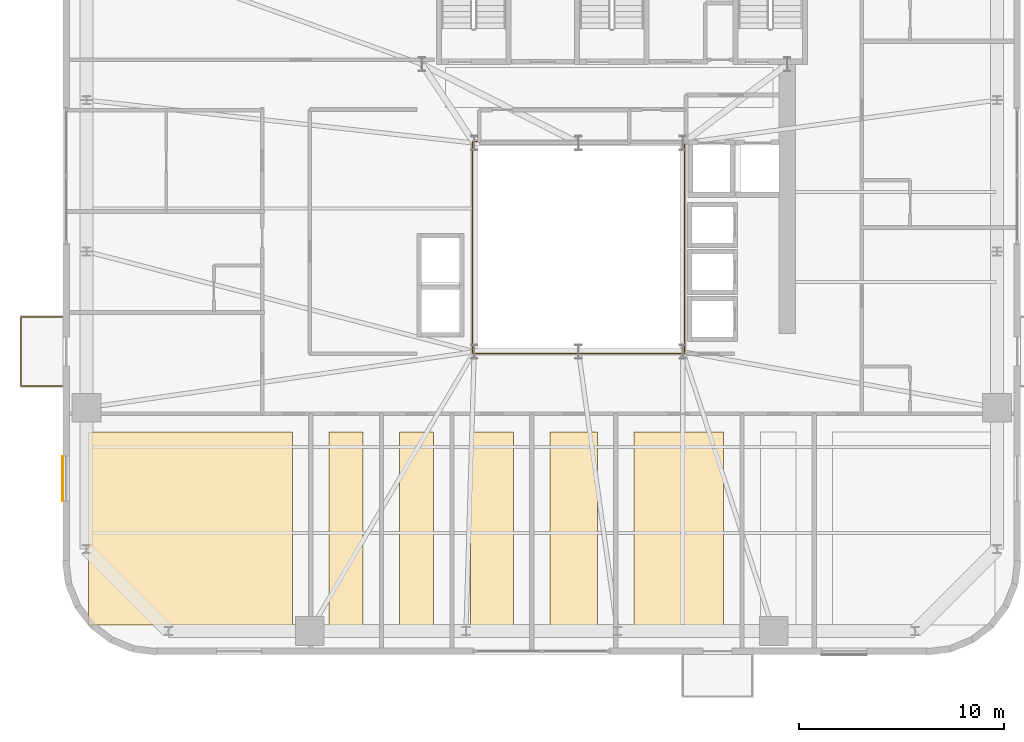
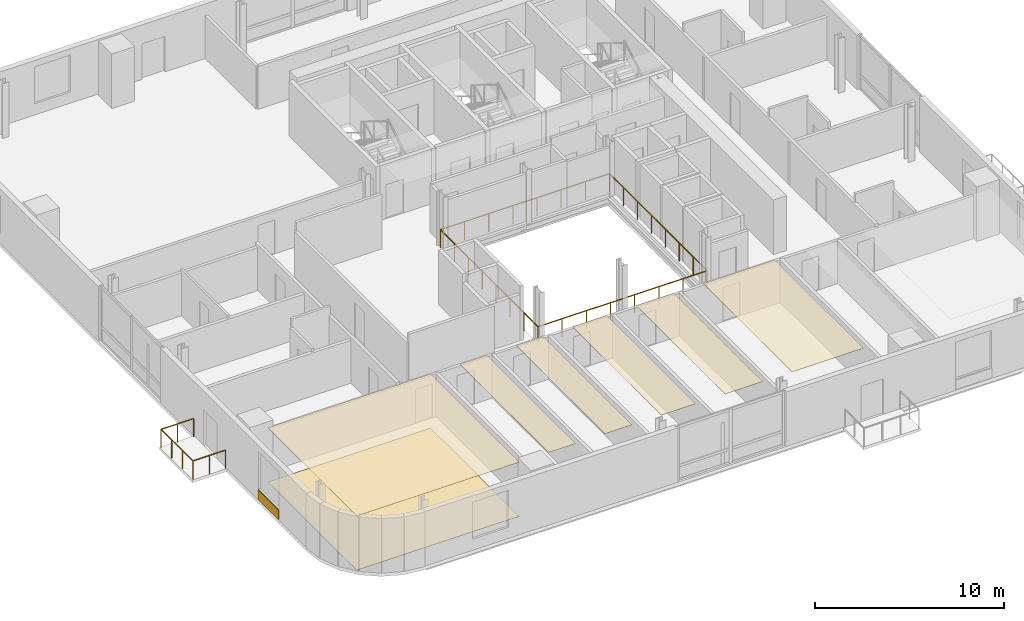
# One storey, part 12 of 16: 8 coverings, 2 railings.
"""IFC4 building model written with IfcOpenShell, lengths in metres."""

from ifc_helpers import new_model, si_unit, direction, frame, origin, origin_2d, place, context, subcontext, project, spatial, polyline, rectangle, outline, extrude, source, transform, mapped, material, layer, layer_set, type_object, element, save


model = new_model("IFC4")

# Units and contexts
model_context = context("Model", 3, precision=1e-05, world=origin(), true_north=direction((0.0, 1.0)))
body_context = subcontext(model_context, "Body", "Model", "MODEL_VIEW")
ifc_project = project(units=[si_unit("LENGTHUNIT", "METRE"), si_unit("AREAUNIT", "SQUARE_METRE"), si_unit("VOLUMEUNIT", "CUBIC_METRE"), si_unit("PLANEANGLEUNIT", "RADIAN"), si_unit("MASSUNIT", "GRAM", prefix="KILO")], contexts=[model_context])

# Site, building, storey
site_placement = place(None, origin())
site = spatial("IfcSite", under=ifc_project, at=site_placement, CompositionType="ELEMENT")
building_placement = place(site_placement, origin())
building = spatial("IfcBuilding", under=site, at=building_placement, Name="Vardaveli Station Tower", CompositionType="ELEMENT")
storey_placement = place(building_placement, frame((0.0, 0.0, 222.300048828125)))
storey = spatial("IfcBuildingStorey", under=building, at=storey_placement, Name="L57", CompositionType="ELEMENT", Elevation=222.300048828125)

# Coverings
ifc_material_1 = material(Name="Perforated acoustic mineral ceiling")
ifc_layer_1 = layer(ifc_material_1, 0.02001953125, Name="Perforated acoustic mineral ceiling")
ifc_layer_set_1 = layer_set([ifc_layer_1], Name="Perforated acoustic mineral ceiling")
covering_type_1 = type_object("IfcCoveringType", Name="COV-CEIL-AC20", PredefinedType="CEILING", material=ifc_layer_set_1)
covering_1_placement = place(storey_placement, frame((0.0, 0.0, 3.514892578125)))
element("IfcCovering", 1, at=covering_1_placement, inside=storey, type_object=covering_type_1, Name="CEIL-L57-1", PredefinedType="CEILING", context=body_context, shape_type="SweptSolid", body=[
    extrude(outline(polyline([(12.35009765625, 3.25), (22.31005859375, 3.25), (22.31005859375, 12.669921875), (12.35009765625, 12.669921875), (12.35009765625, 3.25)])), origin(), (0.0, 0.0, 1.0), 0.02001953125),
])
covering_2_placement = place(storey_placement, frame((0.0, 0.0, 3.514892578125)))
element("IfcCovering", 2, at=covering_2_placement, inside=storey, type_object=covering_type_1, Name="CEIL-L57-2", PredefinedType="CEILING", context=body_context, shape_type="SweptSolid", body=[
    extrude(outline(polyline([(24.110107421875, 3.25), (25.760009765625, 3.25), (25.760009765625, 12.669921875), (24.110107421875, 12.669921875), (24.110107421875, 3.25)])), origin(), (0.0, 0.0, 1.0), 0.02001953125),
])
covering_3_placement = place(storey_placement, frame((0.0, 0.0, 3.514892578125)))
element("IfcCovering", 3, at=covering_3_placement, inside=storey, type_object=covering_type_1, Name="CEIL-L57-3", PredefinedType="CEILING", context=body_context, shape_type="SweptSolid", body=[
    extrude(outline(polyline([(27.56005859375, 3.25), (29.2099609375, 3.25), (29.2099609375, 12.669921875), (27.56005859375, 12.669921875), (27.56005859375, 3.25)])), origin(), (0.0, 0.0, 1.0), 0.02001953125),
])
covering_4_placement = place(storey_placement, frame((0.0, 0.0, 3.514892578125)))
element("IfcCovering", 4, at=covering_4_placement, inside=storey, type_object=covering_type_1, Name="CEIL-L57-4", PredefinedType="CEILING", context=body_context, shape_type="SweptSolid", body=[
    extrude(outline(polyline([(31.010009765625, 3.25), (33.114990234375, 3.25), (33.114990234375, 12.669921875), (31.010009765625, 12.669921875), (31.010009765625, 3.25)])), origin(), (0.0, 0.0, 1.0), 0.02001953125),
])
covering_5_placement = place(storey_placement, frame((0.0, 0.0, 3.514892578125)))
element("IfcCovering", 5, at=covering_5_placement, inside=storey, type_object=covering_type_1, Name="CEIL-L57-5", PredefinedType="CEILING", context=body_context, shape_type="SweptSolid", body=[
    extrude(outline(polyline([(34.9150390625, 3.25), (37.216796875, 3.25), (37.216796875, 12.669921875), (34.9150390625, 12.669921875), (34.9150390625, 3.25)])), origin(), (0.0, 0.0, 1.0), 0.02001953125),
])
covering_6_placement = place(storey_placement, frame((0.0, 0.0, 3.514892578125)))
element("IfcCovering", 6, at=covering_6_placement, inside=storey, type_object=covering_type_1, Name="CEIL-L57-6", PredefinedType="CEILING", context=body_context, shape_type="SweptSolid", body=[
    extrude(outline(polyline([(39.0166015625, 3.25), (43.3896484375, 3.25), (43.3896484375, 12.669921875), (39.0166015625, 12.669921875), (39.0166015625, 3.25)])), origin(), (0.0, 0.0, 1.0), 0.02001953125),
])
ifc_material_2 = material(Name="Honed Caucasian basalt and travertine flooring", Category="masonry")
ifc_layer_2 = layer(ifc_material_2, 0.030029296875, Name="Honed Caucasian basalt and travertine flooring")
ifc_layer_set_2 = layer_set([ifc_layer_2], Name="Honed Caucasian basalt and travertine flooring")
covering_type_2 = type_object("IfcCoveringType", Name="COV-FLOOR-ST30", PredefinedType="FLOORING", material=ifc_layer_set_2)
covering_7_placement = place(storey_placement, origin())
element("IfcCovering", 7, at=covering_7_placement, inside=storey, type_object=covering_type_2, Name="FLR-L57-1", PredefinedType="FLOORING", context=body_context, shape_type="SweptSolid", body=[
    extrude(outline(polyline([(12.35009765625, 3.25), (22.31005859375, 3.25), (22.31005859375, 12.669921875), (12.35009765625, 12.669921875), (12.35009765625, 3.25)])), origin(), (0.0, 0.0, 1.0), 0.030029296875),
])
ifc_material_3 = material(Name="Ventilated honed travertine stone cladding", Category="masonry")
ifc_layer_3 = layer(ifc_material_3, 0.044921875, Name="Ventilated honed travertine stone cladding")
ifc_layer_set_3 = layer_set([ifc_layer_3], Name="Ventilated honed travertine stone cladding")
covering_type_3 = type_object("IfcCoveringType", Name="COV-CLAD-TR45", PredefinedType="CLADDING", material=ifc_layer_set_3)
shared_shape_1 = source(origin(), body_context, "Body", "SweptSolid", [
    extrude(rectangle(XDim=2.199951171875, YDim=0.044921875, at=origin_2d()), origin(), (0.0, 0.0, 1.0), 0.6201171875),
])
covering_8_placement = place(storey_placement, frame((11.08544921875, 10.405029296875, 0.06982421875), z_axis=(0.0, 0.0, 1.0), x_axis=(0.0, 1.0, 0.0)))
element("IfcCovering", 8, at=covering_8_placement, inside=storey, type_object=covering_type_3, Name="CLD-TR-L57-W", PredefinedType="CLADDING", context=body_context, shape_type="MappedRepresentation", body=[
    mapped(shared_shape_1, transform((0.0, 0.0, 0.0), scale=1.0)),
])

# Railings
ifc_material_4 = material(Name="Laminated glass and stainless steel balustrade", Category="steel")
railing_type = type_object("IfcRailingType", Name="RL-BAL-1200", PredefinedType="BALUSTRADE", material=ifc_material_4)
shared_shape_2 = source(origin(), body_context, "Body", "SweptSolid", [
    extrude(rectangle(XDim=0.048095703125, YDim=0.048095703125, at=origin_2d()), frame((0.0, 0.0, 1.17578125), z_axis=(-1.0, 0.0, 0.0), x_axis=(0.0, -1.0, 0.0)), (0.0, 0.0, 1.0), 2.0),
    extrude(rectangle(XDim=0.048095703125, YDim=0.048095703125, at=origin_2d()), frame((-2.0, 0.0, 1.17578125), z_axis=(0.0, 1.0, 0.0), x_axis=(-1.0, 0.0, 0.0)), (0.0, 0.0, 1.0), 3.3798828125),
    extrude(rectangle(XDim=0.048095703125, YDim=0.048095703125, at=origin_2d()), frame((-2.0, 3.3798828125, 1.17578125), z_axis=(1.0, 0.0, 0.0), x_axis=(0.0, 1.0, 0.0)), (0.0, 0.0, 1.0), 2.0),
    extrude(rectangle(XDim=0.0419921875, YDim=0.0419921875, at=origin_2d()), origin(), (0.0, 0.0, 1.0), 1.15185546875),
    extrude(rectangle(XDim=0.0419921875, YDim=0.0419921875, at=origin_2d()), frame((-1.0, 0.0, 0.0)), (0.0, 0.0, 1.0), 1.15185546875),
    extrude(rectangle(XDim=0.0419921875, YDim=0.0419921875, at=origin_2d()), frame((-2.0, 0.0, 0.0)), (0.0, 0.0, 1.0), 1.15185546875),
    extrude(rectangle(XDim=0.0419921875, YDim=0.0419921875, at=origin_2d()), frame((-2.0, 1.126708984375, 0.0)), (0.0, 0.0, 1.0), 1.15185546875),
    extrude(rectangle(XDim=0.0419921875, YDim=0.0419921875, at=origin_2d()), frame((-2.0, 2.253173828125, 0.0)), (0.0, 0.0, 1.0), 1.15185546875),
    extrude(rectangle(XDim=0.0419921875, YDim=0.0419921875, at=origin_2d()), frame((-2.0, 3.3798828125, 0.0)), (0.0, 0.0, 1.0), 1.15185546875),
    extrude(rectangle(XDim=0.0419921875, YDim=0.0419921875, at=origin_2d()), frame((-1.0, 3.3798828125, 0.0)), (0.0, 0.0, 1.0), 1.15185546875),
    extrude(rectangle(XDim=0.0419921875, YDim=0.0419921875, at=origin_2d()), frame((0.0, 3.3798828125, 0.0)), (0.0, 0.0, 1.0), 1.15185546875),
])
railing_1_placement = place(storey_placement, frame((11.06005859375, 14.92041015625, 0.0)))
element("IfcRailing", 9, at=railing_1_placement, inside=storey, type_object=railing_type, Name="RL-LOG-L57-03", PredefinedType="BALUSTRADE", context=body_context, shape_type="MappedRepresentation", body=[
    mapped(shared_shape_2, transform((0.0, 0.0, 0.0), scale=1.0)),
])
shared_shape_3 = source(origin(), body_context, "Body", "SweptSolid", [
    extrude(rectangle(XDim=0.048095703125, YDim=0.048095703125, at=origin_2d()), frame((0.0, 0.0, 1.17578125), z_axis=(1.0, 0.0, 0.0), x_axis=(0.0, 1.0, 0.0)), (0.0, 0.0, 1.0), 10.35986328125),
    extrude(rectangle(XDim=0.048095703125, YDim=0.048095703125, at=origin_2d()), frame((10.35986328125, 0.0, 1.17578125), z_axis=(0.0, 1.0, 0.0), x_axis=(-1.0, 0.0, 0.0)), (0.0, 0.0, 1.0), 10.35986328125),
    extrude(rectangle(XDim=0.048095703125, YDim=0.048095703125, at=origin_2d()), frame((10.35986328125, 10.35986328125, 1.17578125), z_axis=(-1.0, 0.0, 0.0), x_axis=(0.0, -1.0, 0.0)), (0.0, 0.0, 1.0), 10.35986328125),
    extrude(rectangle(XDim=0.048095703125, YDim=0.048095703125, at=origin_2d()), frame((0.0, 10.35986328125, 1.17578125), z_axis=(0.0, -1.0, 0.0), x_axis=(1.0, 0.0, 0.0)), (0.0, 0.0, 1.0), 10.35986328125),
    extrude(rectangle(XDim=0.0419921875, YDim=0.0419921875, at=origin_2d()), origin(), (0.0, 0.0, 1.0), 1.15185546875),
    extrude(rectangle(XDim=0.0419921875, YDim=0.0419921875, at=origin_2d()), frame((1.47998046875, 0.0, 0.0)), (0.0, 0.0, 1.0), 1.15185546875),
    extrude(rectangle(XDim=0.0419921875, YDim=0.0419921875, at=origin_2d()), frame((2.9599609375, 0.0, 0.0)), (0.0, 0.0, 1.0), 1.15185546875),
    extrude(rectangle(XDim=0.0419921875, YDim=0.0419921875, at=origin_2d()), frame((4.43994140625, 0.0, 0.0)), (0.0, 0.0, 1.0), 1.15185546875),
    extrude(rectangle(XDim=0.0419921875, YDim=0.0419921875, at=origin_2d()), frame((5.919921875, 0.0, 0.0)), (0.0, 0.0, 1.0), 1.15185546875),
    extrude(rectangle(XDim=0.0419921875, YDim=0.0419921875, at=origin_2d()), frame((7.39990234375, 0.0, 0.0)), (0.0, 0.0, 1.0), 1.15185546875),
    extrude(rectangle(XDim=0.0419921875, YDim=0.0419921875, at=origin_2d()), frame((8.8798828125, 0.0, 0.0)), (0.0, 0.0, 1.0), 1.15185546875),
    extrude(rectangle(XDim=0.0419921875, YDim=0.0419921875, at=origin_2d()), frame((10.35986328125, 0.0, 0.0)), (0.0, 0.0, 1.0), 1.15185546875),
    extrude(rectangle(XDim=0.0419921875, YDim=0.0419921875, at=origin_2d()), frame((10.35986328125, 1.47998046875, 0.0)), (0.0, 0.0, 1.0), 1.15185546875),
    extrude(rectangle(XDim=0.0419921875, YDim=0.0419921875, at=origin_2d()), frame((10.35986328125, 2.9599609375, 0.0)), (0.0, 0.0, 1.0), 1.15185546875),
    extrude(rectangle(XDim=0.0419921875, YDim=0.0419921875, at=origin_2d()), frame((10.35986328125, 4.43994140625, 0.0)), (0.0, 0.0, 1.0), 1.15185546875),
    extrude(rectangle(XDim=0.0419921875, YDim=0.0419921875, at=origin_2d()), frame((10.35986328125, 5.919921875, 0.0)), (0.0, 0.0, 1.0), 1.15185546875),
    extrude(rectangle(XDim=0.0419921875, YDim=0.0419921875, at=origin_2d()), frame((10.35986328125, 7.39990234375, 0.0)), (0.0, 0.0, 1.0), 1.15185546875),
    extrude(rectangle(XDim=0.0419921875, YDim=0.0419921875, at=origin_2d()), frame((10.35986328125, 8.8798828125, 0.0)), (0.0, 0.0, 1.0), 1.15185546875),
    extrude(rectangle(XDim=0.0419921875, YDim=0.0419921875, at=origin_2d()), frame((10.35986328125, 10.35986328125, 0.0)), (0.0, 0.0, 1.0), 1.15185546875),
    extrude(rectangle(XDim=0.0419921875, YDim=0.0419921875, at=origin_2d()), frame((8.8798828125, 10.35986328125, 0.0)), (0.0, 0.0, 1.0), 1.15185546875),
    extrude(rectangle(XDim=0.0419921875, YDim=0.0419921875, at=origin_2d()), frame((7.39990234375, 10.35986328125, 0.0)), (0.0, 0.0, 1.0), 1.15185546875),
    extrude(rectangle(XDim=0.0419921875, YDim=0.0419921875, at=origin_2d()), frame((5.919921875, 10.35986328125, 0.0)), (0.0, 0.0, 1.0), 1.15185546875),
    extrude(rectangle(XDim=0.0419921875, YDim=0.0419921875, at=origin_2d()), frame((4.43994140625, 10.35986328125, 0.0)), (0.0, 0.0, 1.0), 1.15185546875),
    extrude(rectangle(XDim=0.0419921875, YDim=0.0419921875, at=origin_2d()), frame((2.9599609375, 10.35986328125, 0.0)), (0.0, 0.0, 1.0), 1.15185546875),
    extrude(rectangle(XDim=0.0419921875, YDim=0.0419921875, at=origin_2d()), frame((1.47998046875, 10.35986328125, 0.0)), (0.0, 0.0, 1.0), 1.15185546875),
    extrude(rectangle(XDim=0.0419921875, YDim=0.0419921875, at=origin_2d()), frame((0.0, 10.35986328125, 0.0)), (0.0, 0.0, 1.0), 1.15185546875),
    extrude(rectangle(XDim=0.0419921875, YDim=0.0419921875, at=origin_2d()), frame((0.0, 8.8798828125, 0.0)), (0.0, 0.0, 1.0), 1.15185546875),
    extrude(rectangle(XDim=0.0419921875, YDim=0.0419921875, at=origin_2d()), frame((0.0, 7.39990234375, 0.0)), (0.0, 0.0, 1.0), 1.15185546875),
    extrude(rectangle(XDim=0.0419921875, YDim=0.0419921875, at=origin_2d()), frame((0.0, 5.919921875, 0.0)), (0.0, 0.0, 1.0), 1.15185546875),
    extrude(rectangle(XDim=0.0419921875, YDim=0.0419921875, at=origin_2d()), frame((0.0, 4.43994140625, 0.0)), (0.0, 0.0, 1.0), 1.15185546875),
    extrude(rectangle(XDim=0.0419921875, YDim=0.0419921875, at=origin_2d()), frame((0.0, 2.9599609375, 0.0)), (0.0, 0.0, 1.0), 1.15185546875),
    extrude(rectangle(XDim=0.0419921875, YDim=0.0419921875, at=origin_2d()), frame((0.0, 1.47998046875, 0.0)), (0.0, 0.0, 1.0), 1.15185546875),
])
railing_2_placement = place(storey_placement, frame((31.1201171875, 16.52001953125, 0.0)))
element("IfcRailing", 10, at=railing_2_placement, inside=storey, type_object=railing_type, Name="RL-ATR-L57", PredefinedType="BALUSTRADE", context=body_context, shape_type="MappedRepresentation", body=[
    mapped(shared_shape_3, transform((0.0, 0.0, 0.0), scale=1.0)),
])

save(model, "model.ifc")
